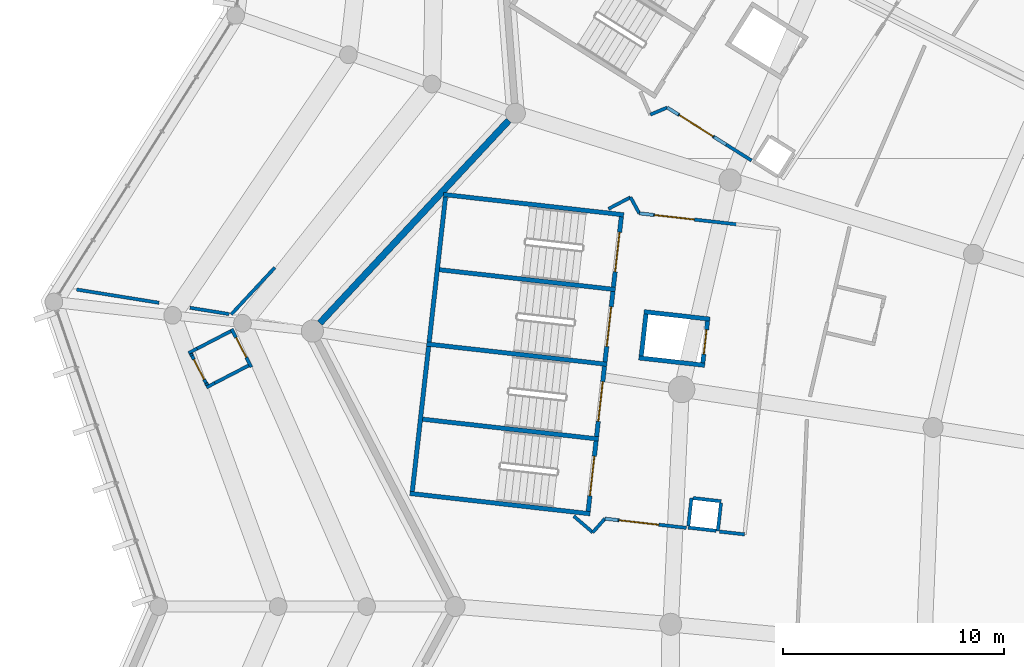
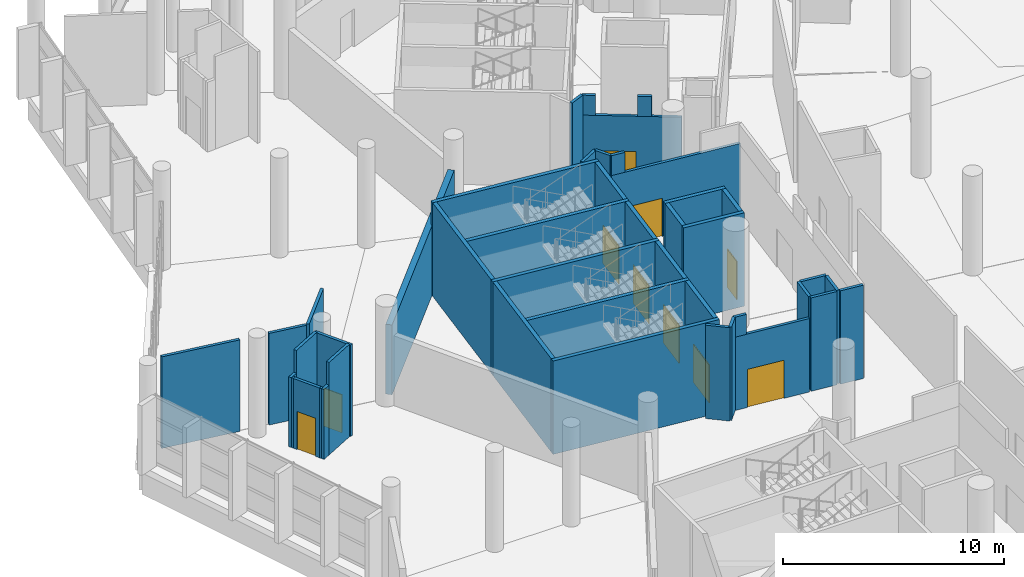
# One storey, part 182 of 271: 44 walls, 10 doors, 10 openings.
"""IFC4 building model written with IfcOpenShell, lengths in metres."""

import ifcopenshell
import ifcopenshell.guid

model = None  # the IFC model being written
_history = None  # IfcOwnerHistory: only IFC2X3 demands one
_inside = {}  # id of a spatial element -> (the spatial element, [elements in it])
_under = {}  # id of a project, library or spatial element -> (it, [spatial elements below it])
_declared = {}  # id of a project -> (the project, [libraries it declares])
_typed = {}  # id of a type object -> (the type object, [elements of that type])
_made_of = {}  # id of a material, layer set ... -> (it, [elements and type objects made of it])


def new_model(schema):
    """Start an empty IFC model of exactly this schema.

    Asked for "IFC4X3", IfcOpenShell would pick the latest addendum, in which some entities
    have other attributes; the version numbers below select the first issue.
    IFC2X3 requires an IfcOwnerHistory on every rooted entity: one is made here for all.
    """
    global model, _history
    if schema == "IFC4X3":
        model = ifcopenshell.file(schema_version=(4, 3, 0, 0))
    else:
        model = ifcopenshell.file(schema=schema)
    _inside.clear()
    _under.clear()
    _declared.clear()
    _typed.clear()
    _made_of.clear()
    _history = None
    if model.schema == "IFC2X3":
        org = make("IfcOrganization", Name="unknown")
        user = make(
            "IfcPersonAndOrganization",
            ThePerson=make("IfcPerson", FamilyName="unknown"),
            TheOrganization=org,
        )
        app = make(
            "IfcApplication",
            ApplicationDeveloper=org,
            Version="unknown",
            ApplicationFullName="unknown",
            ApplicationIdentifier="unknown",
        )
        _history = make(
            "IfcOwnerHistory",
            OwningUser=user,
            OwningApplication=app,
            ChangeAction="ADDED",
            CreationDate=0,
        )
    return model


def make(cls, **values):
    """One entity of the class cls with the attributes given. An attribute that is None is left unset."""
    return model.create_entity(
        cls, **{name: value for name, value in values.items() if value is not None}
    )


def rooted(cls, **values):
    """An entity with a GlobalId (a new one), such as an element, a storey or a relation."""
    return make(cls, GlobalId=ifcopenshell.guid.new(), OwnerHistory=_history, **values)


def si_unit(unit_type, name, prefix=None):
    """IfcSIUnit, for example si_unit("LENGTHUNIT", "METRE", prefix="MILLI")."""
    return make("IfcSIUnit", UnitType=unit_type, Prefix=prefix, Name=name)


def assignment(units):
    """IfcUnitAssignment: the units of a project."""
    return None if units is None else make("IfcUnitAssignment", Units=units)


def point(xyz):
    """IfcCartesianPoint."""
    return None if xyz is None else make("IfcCartesianPoint", Coordinates=xyz)


def direction(xyz):
    """IfcDirection."""
    return None if xyz is None else make("IfcDirection", DirectionRatios=xyz)


def frame(location, z_axis=None, x_axis=None):
    """IfcAxis2Placement3D, a coordinate frame: its origin and axes. An axis left out is left unset."""
    return make(
        "IfcAxis2Placement3D",
        Location=point(location),
        Axis=direction(z_axis),
        RefDirection=direction(x_axis),
    )


def frame_2d(location, x_axis=None):
    """IfcAxis2Placement2D, a coordinate frame in the plane: its origin and x axis."""
    return make(
        "IfcAxis2Placement2D", Location=point(location), RefDirection=direction(x_axis)
    )


def origin():
    """The frame at (0, 0, 0) with its axes left unset."""
    return frame((0.0, 0.0, 0.0))


def place(relative_to, where):
    """IfcLocalPlacement: puts the frame where relative to a parent placement (None: the world)."""
    return make(
        "IfcLocalPlacement", PlacementRelTo=relative_to, RelativePlacement=where
    )


def context(
    kind, dimensions, precision=None, world=None, true_north=None, identifier=None
):
    """IfcGeometricRepresentationContext, for example the 3D "Model" context."""
    return make(
        "IfcGeometricRepresentationContext",
        ContextIdentifier=identifier,
        ContextType=kind,
        CoordinateSpaceDimension=dimensions,
        Precision=precision,
        WorldCoordinateSystem=world,
        TrueNorth=true_north,
    )


def subcontext(parent, identifier, kind, view, scale=None):
    """IfcGeometricRepresentationSubContext, for example "Body" below "Model"."""
    return make(
        "IfcGeometricRepresentationSubContext",
        ContextIdentifier=identifier,
        ContextType=kind,
        ParentContext=parent,
        TargetScale=scale,
        TargetView=view,
    )


def project(units=None, contexts=None):
    """IfcProject with its units and contexts."""
    return rooted(
        "IfcProject",
        Name="project",
        RepresentationContexts=contexts,
        UnitsInContext=assignment(units),
    )


def spatial(cls, under=None, at=None, **own):
    """A site, building, storey or space (cls), placed at a placement, below another one or the project."""
    s = rooted(cls, ObjectPlacement=at, **own)
    if under is not None:
        _under.setdefault(under.id(), (under, []))[1].append(s)
    return s


def profile(cls, at=None, kind="AREA", **sizes):
    """A parametric profile (cls). Its sizes go by their IFC names, for example OverallWidth=200.0."""
    return make(cls, ProfileType=kind, Position=at, **sizes)


def rectangle(**sizes):
    """IfcRectangleProfileDef."""
    return profile("IfcRectangleProfileDef", **sizes)


def extrude(swept, where, along, depth):
    """IfcExtrudedAreaSolid: the profile swept, set in the frame where, extruded along a direction by depth."""
    return make(
        "IfcExtrudedAreaSolid",
        SweptArea=swept,
        Position=where,
        ExtrudedDirection=direction(along),
        Depth=depth,
    )


def shape(context_of_items, identifier, shape_type, items):
    """IfcShapeRepresentation: the items that make up one representation, for example the "Body"."""
    return make(
        "IfcShapeRepresentation",
        ContextOfItems=context_of_items,
        RepresentationIdentifier=identifier,
        RepresentationType=shape_type,
        Items=items,
    )


def material(Name=None, Category=None):
    """IfcMaterial."""
    return make("IfcMaterial", Name=Name, Category=Category)


def layer(
    of_material, thickness, ventilated=None, Name=None, Category=None, Priority=None
):
    """IfcMaterialLayer: one layer of a wall or slab, of a material (None: an air gap)."""
    return make(
        "IfcMaterialLayer",
        Material=of_material,
        LayerThickness=thickness,
        IsVentilated=ventilated,
        Name=Name,
        Category=Category,
        Priority=Priority,
    )


def layer_set(layers, Name=None):
    """IfcMaterialLayerSet."""
    return make("IfcMaterialLayerSet", MaterialLayers=layers, LayerSetName=Name)


def made_of(thing, what):
    """Note that an element or type object is made of a material, layer set ...; save() writes the relation."""
    if what is not None:
        _made_of.setdefault(what.id(), (what, []))[1].append(thing)
    return thing


def type_object(cls, material=None, **own):
    """A type object (cls), such as IfcWallType, which elements share."""
    return made_of(rooted(cls, **own), material)


def element(
    cls,
    number,
    at=None,
    inside=None,
    cuts=None,
    type_object=None,
    material=None,
    context=None,
    identifier="Body",
    shape_type=None,
    held_by="IfcProductDefinitionShape",
    body=None,
    shapes=None,
    **own,
):
    """One element of the class cls, such as IfcWall. Its Tag is "e" and its number.

    at: its placement. inside: the storey or other place that contains it. cuts: it is an
    opening in that element (IfcRelVoidsElement). A single representation is given by context,
    identifier, shape_type and body (its items); several are given by shapes. held_by: the class
    of the entity that holds the representations. save() writes the other relations.
    """
    e = rooted(cls, Tag="e%d" % number, ObjectPlacement=at, **own)
    if body is not None:
        shapes = [shape(context, identifier, shape_type, body)]
    if shapes is not None:
        e.Representation = make(held_by, Representations=shapes)
    if inside is not None:
        _inside.setdefault(inside.id(), (inside, []))[1].append(e)
    if cuts is not None:
        rooted(
            "IfcRelVoidsElement", RelatingBuildingElement=cuts, RelatedOpeningElement=e
        )
    if type_object is not None:
        _typed.setdefault(type_object.id(), (type_object, []))[1].append(e)
    return made_of(e, material)


def fill(opening, filler):
    """IfcRelFillsElement: the door or window that sits in an opening."""
    return rooted(
        "IfcRelFillsElement",
        RelatingOpeningElement=opening,
        RelatedBuildingElement=filler,
    )


def aggregate(whole, parts):
    """IfcRelAggregates: a whole, such as a stair, and the parts it consists of."""
    return rooted("IfcRelAggregates", RelatingObject=whole, RelatedObjects=parts)


def save(model, path):
    """Write the relations noted so far, then the file.

    IfcRelAggregates (storeys below a building ...), IfcRelContainedInSpatialStructure (elements
    in a storey), IfcRelDefinesByType, IfcRelAssociatesMaterial and IfcRelDeclares: one each for
    every whole, place, type object, material and project.
    """
    for whole, parts in _under.values():
        aggregate(whole, parts)
    for where, things in _inside.values():
        rooted(
            "IfcRelContainedInSpatialStructure",
            RelatedElements=things,
            RelatingStructure=where,
        )
    for kind, things in _typed.values():
        rooted("IfcRelDefinesByType", RelatedObjects=things, RelatingType=kind)
    for what, things in _made_of.values():
        rooted("IfcRelAssociatesMaterial", RelatedObjects=things, RelatingMaterial=what)
    for by, libraries in _declared.values():
        rooted("IfcRelDeclares", RelatingContext=by, RelatedDefinitions=libraries)
    model.write(path)


model = new_model("IFC4")

# Units and contexts
model_context = context("Model", 3, precision=1e-05, world=origin(), true_north=direction((0.0, 1.0)))
body_context = subcontext(model_context, "Body", "Model", "MODEL_VIEW")
ifc_project = project(units=[si_unit("LENGTHUNIT", "METRE"), si_unit("AREAUNIT", "SQUARE_METRE"), si_unit("VOLUMEUNIT", "CUBIC_METRE"), si_unit("PLANEANGLEUNIT", "RADIAN"), si_unit("MASSUNIT", "GRAM", prefix="KILO")], contexts=[model_context])

# Site, building, storey
site_placement = place(None, origin())
site = spatial("IfcSite", under=ifc_project, at=site_placement, CompositionType="ELEMENT")
building_placement = place(site_placement, origin())
building = spatial("IfcBuilding", under=site, at=building_placement, Name="Meseta Stadium", CompositionType="ELEMENT")
storey_placement = place(building_placement, frame((0.0, 0.0, 6.5)))
storey = spatial("IfcBuildingStorey", under=building, at=storey_placement, Name="L01", CompositionType="ELEMENT", Elevation=6.5)

# Walls
ifc_material_1 = material(Name="Concrete C40/50", Category="concrete")
ifc_layer_1 = layer(ifc_material_1, 0.199951171875)
ifc_layer_set_1 = layer_set([ifc_layer_1], Name="Core divider wall 200")
wall_type_1 = type_object("IfcWallType", Name="Core divider wall 200", PredefinedType="SHEAR", material=ifc_layer_set_1)
wall_1_placement = place(storey_placement, frame((-95.503662109375, 58.999267578125, 0.0), z_axis=(0.0, 0.0, 1.0), x_axis=(0.993710792168, -0.111977058046, 0.0)))
element("IfcWall", 1, at=wall_1_placement, inside=storey, type_object=wall_type_1, Name="Core 15 L01 stair A divider wall", PredefinedType="SHEAR", context=body_context, shape_type="SweptSolid", body=[
    extrude(rectangle(XDim=8.199951171875, YDim=0.199951171875, at=frame_2d((4.10009765625, 0.0))), origin(), (0.0, 0.0, 1.0), 5.14990234375),
])
wall_2_placement = place(storey_placement, frame((-96.264892578125, 52.241943359375, 0.0), z_axis=(0.0, 0.0, 1.0), x_axis=(0.993713731549, -0.111950970206, 0.0)))
element("IfcWall", 2, at=wall_2_placement, inside=storey, type_object=wall_type_1, Name="Core 15 L01 stair B divider wall", PredefinedType="SHEAR", context=body_context, shape_type="SweptSolid", body=[
    extrude(rectangle(XDim=8.19970703125, YDim=0.199951171875, at=frame_2d((4.099853515625, 0.0))), origin(), (0.0, 0.0, 1.0), 5.14990234375),
])
ifc_material_2 = material(Name="Concrete C40/50", Category="concrete")
ifc_layer_2 = layer(ifc_material_2, 0.199951171875)
ifc_layer_set_2 = layer_set([ifc_layer_2], Name="Core shaft wall 200")
wall_type_2 = type_object("IfcWallType", Name="Core shaft wall 200", PredefinedType="SHEAR", material=ifc_layer_set_2)
wall_3_placement = place(storey_placement, frame((-95.123046875, 62.3779296875, 0.0), z_axis=(0.0, 0.0, 1.0), x_axis=(0.993710792168, -0.111977058046, 0.0)))
element("IfcWall", 3, at=wall_3_placement, inside=storey, type_object=wall_type_2, Name="Core 15 L01 stair wall A-side", PredefinedType="SHEAR", context=body_context, shape_type="SweptSolid", body=[
    extrude(rectangle(XDim=8.199951171875, YDim=0.199951171875, at=frame_2d((4.10009765625, 0.0))), origin(), (0.0, 0.0, 1.0), 5.14990234375),
])
wall_4_placement = place(storey_placement, frame((-95.884521484375, 55.62060546875, 0.0), z_axis=(0.0, 0.0, 1.0), x_axis=(0.993711165474, -0.111973745194, 0.0)))
element("IfcWall", 4, at=wall_4_placement, inside=storey, type_object=wall_type_2, Name="Core 15 L01 stair wall shared", PredefinedType="SHEAR", context=body_context, shape_type="SweptSolid", body=[
    extrude(rectangle(XDim=8.2001953125, YDim=0.199951171875, at=frame_2d((4.10009765625, 0.0))), origin(), (0.0, 0.0, 1.0), 5.14990234375),
])
wall_5_placement = place(storey_placement, frame((-96.645751953125, 48.86328125, 0.0), z_axis=(0.0, 0.0, 1.0), x_axis=(0.993714104693, -0.111947658007, 0.0)))
element("IfcWall", 5, at=wall_5_placement, inside=storey, type_object=wall_type_2, Name="Core 15 L01 stair wall B-side", PredefinedType="SHEAR", context=body_context, shape_type="SweptSolid", body=[
    extrude(rectangle(XDim=8.199951171875, YDim=0.199951171875, at=frame_2d((4.10009765625, 0.0))), origin(), (0.0, 0.0, 1.0), 5.14990234375),
])
for number, where, z_axis, x_axis, name in (
    (6, (-95.034912109375, 62.267333984375, 0.0), (0.0, 0.0, 1.0), (-0.111933579504, -0.993715690617, 0.0), "Core 15 L01 stair A outer end wall"),
    (7, (-95.796142578125, 55.510009765625, 0.0), (0.0, 0.0, 1.0), (-0.111970106426, -0.993711575492, 0.0), "Core 15 L01 stair B outer end wall"),
):
    element("IfcWall", number, at=place(storey_placement, frame(where, z_axis=z_axis, x_axis=x_axis)), inside=storey, type_object=wall_type_2, Name=name, PredefinedType="SHEAR", context=body_context, shape_type="SweptSolid", body=[
        extrude(rectangle(XDim=6.60009765625, YDim=0.199951171875, at=frame_2d((3.300048828125, 0.0))), origin(), (0.0, 0.0, 1.0), 5.14990234375),
    ])

# Wall, opening, door
wall_6_placement = place(storey_placement, frame((-87.085205078125, 61.37158203125, 0.0), z_axis=(0.0, 0.0, 1.0), x_axis=(-0.11192190762, -0.993717005286, 0.0)))
wall_6 = element("IfcWall", 8, at=wall_6_placement, inside=storey, type_object=wall_type_2, Name="Core 15 L01 stair A1 inner end wall", PredefinedType="SHEAR", context=body_context, shape_type="SweptSolid", body=[
    extrude(rectangle(XDim=3.199951171875, YDim=0.199951171875, at=frame_2d((1.60009765625, 0.0))), origin(), (0.0, 0.0, 1.0), 5.14990234375),
])
opening_1_placement = place(wall_6_placement, frame((0.699951171875, 0.0, 0.0)))
opening_1 = element("IfcOpeningElement", 9, at=opening_1_placement, cuts=wall_6, Name="Opening D207", PredefinedType="OPENING", context=body_context, shape_type="SweptSolid", body=[
    extrude(rectangle(XDim=1.800048828125, YDim=2.10009765625, at=frame_2d((0.89990234375, 1.050048828125))), frame((0.0, 0.10986328125, 0.0), z_axis=(0.0, -1.0, 0.0), x_axis=(1.0, 0.0, 0.0)), (0.0, 0.0, 1.0), 0.219970703125),
])
ifc_material_3 = material(Name="Steel", Category="steel")
door_type_1 = type_object("IfcDoorType", Name="Stair door 1800x2100", OperationType="DOUBLE_DOOR_SINGLE_SWING", PredefinedType="DOOR", material=ifc_material_3)
door_1_placement = place(opening_1_placement, origin())
door_1 = element("IfcDoor", 10, at=door_1_placement, inside=storey, type_object=door_type_1, Name="Stair A1 door 15 L01", OperationType="DOUBLE_DOOR_SINGLE_SWING", OverallHeight=2.10009765625, OverallWidth=1.800048828125, PredefinedType="DOOR", context=body_context, shape_type="SweptSolid", body=[
    extrude(rectangle(XDim=1.800048828125, YDim=2.10009765625, at=frame_2d((0.89990234375, 1.050048828125))), frame((0.0, 0.02490234375, 0.0), z_axis=(0.0, -1.0, 0.0), x_axis=(1.0, 0.0, 0.0)), (0.0, 0.0, 1.0), 0.050048828125),
])
fill(opening_1, door_1)

wall_7_placement = place(storey_placement, frame((-87.4658203125, 57.992919921875, 0.0), z_axis=(0.0, 0.0, 1.0), x_axis=(-0.111997244021, -0.993708517288, 0.0)))
wall_7 = element("IfcWall", 11, at=wall_7_placement, inside=storey, type_object=wall_type_2, Name="Core 15 L01 stair A2 inner end wall", PredefinedType="SHEAR", context=body_context, shape_type="SweptSolid", body=[
    extrude(rectangle(XDim=3.199951171875, YDim=0.199951171875, at=frame_2d((1.60009765625, 0.0))), origin(), (0.0, 0.0, 1.0), 5.14990234375),
])
opening_2_placement = place(wall_7_placement, frame((0.699951171875, 0.0, 0.0)))
opening_2 = element("IfcOpeningElement", 12, at=opening_2_placement, cuts=wall_7, Name="Opening D208", PredefinedType="OPENING", context=body_context, shape_type="SweptSolid", body=[
    extrude(rectangle(XDim=1.800048828125, YDim=2.10009765625, at=frame_2d((0.89990234375, 1.050048828125))), frame((0.0, 0.10986328125, 0.0), z_axis=(0.0, -1.0, 0.0), x_axis=(1.0, 0.0, 0.0)), (0.0, 0.0, 1.0), 0.219970703125),
])
door_2_placement = place(opening_2_placement, origin())
door_2 = element("IfcDoor", 13, at=door_2_placement, inside=storey, type_object=door_type_1, Name="Stair A2 door 15 L01", OperationType="DOUBLE_DOOR_SINGLE_SWING", OverallHeight=2.10009765625, OverallWidth=1.800048828125, PredefinedType="DOOR", context=body_context, shape_type="SweptSolid", body=[
    extrude(rectangle(XDim=1.800048828125, YDim=2.10009765625, at=frame_2d((0.89990234375, 1.050048828125))), frame((0.0, 0.02490234375, 0.0), z_axis=(0.0, -1.0, 0.0), x_axis=(1.0, 0.0, 0.0)), (0.0, 0.0, 1.0), 0.050048828125),
])
fill(opening_2, door_2)

wall_8_placement = place(storey_placement, frame((-87.846435546875, 54.6142578125, 0.0), z_axis=(0.0, 0.0, 1.0), x_axis=(-0.112005735442, -0.993707560215, 0.0)))
wall_8 = element("IfcWall", 14, at=wall_8_placement, inside=storey, type_object=wall_type_2, Name="Core 15 L01 stair B1 inner end wall", PredefinedType="SHEAR", context=body_context, shape_type="SweptSolid", body=[
    extrude(rectangle(XDim=3.19970703125, YDim=0.199951171875, at=frame_2d((1.599853515625, 0.0))), origin(), (0.0, 0.0, 1.0), 5.14990234375),
])
opening_3_placement = place(wall_8_placement, frame((0.699951171875, 0.0, 0.0)))
opening_3 = element("IfcOpeningElement", 15, at=opening_3_placement, cuts=wall_8, Name="Opening D209", PredefinedType="OPENING", context=body_context, shape_type="SweptSolid", body=[
    extrude(rectangle(XDim=1.800048828125, YDim=2.10009765625, at=frame_2d((0.89990234375, 1.050048828125))), frame((0.0, 0.10986328125, 0.0), z_axis=(0.0, -1.0, 0.0), x_axis=(1.0, 0.0, 0.0)), (0.0, 0.0, 1.0), 0.219970703125),
])
door_3_placement = place(opening_3_placement, origin())
door_3 = element("IfcDoor", 16, at=door_3_placement, inside=storey, type_object=door_type_1, Name="Stair B1 door 15 L01", OperationType="DOUBLE_DOOR_SINGLE_SWING", OverallHeight=2.10009765625, OverallWidth=1.800048828125, PredefinedType="DOOR", context=body_context, shape_type="SweptSolid", body=[
    extrude(rectangle(XDim=1.800048828125, YDim=2.10009765625, at=frame_2d((0.89990234375, 1.050048828125))), frame((0.0, 0.02490234375, 0.0), z_axis=(0.0, -1.0, 0.0), x_axis=(1.0, 0.0, 0.0)), (0.0, 0.0, 1.0), 0.050048828125),
])
fill(opening_3, door_3)

wall_9_placement = place(storey_placement, frame((-88.227294921875, 51.235595703125, 0.0), z_axis=(0.0, 0.0, 1.0), x_axis=(-0.111930393474, -0.993716049491, 0.0)))
wall_9 = element("IfcWall", 17, at=wall_9_placement, inside=storey, type_object=wall_type_2, Name="Core 15 L01 stair B2 inner end wall", PredefinedType="SHEAR", context=body_context, shape_type="SweptSolid", body=[
    extrude(rectangle(XDim=3.19970703125, YDim=0.199951171875, at=frame_2d((1.599853515625, 0.0))), origin(), (0.0, 0.0, 1.0), 5.14990234375),
])
opening_4_placement = place(wall_9_placement, frame((0.699951171875, 0.0, 0.0)))
opening_4 = element("IfcOpeningElement", 18, at=opening_4_placement, cuts=wall_9, Name="Opening D210", PredefinedType="OPENING", context=body_context, shape_type="SweptSolid", body=[
    extrude(rectangle(XDim=1.800048828125, YDim=2.10009765625, at=frame_2d((0.89990234375, 1.050048828125))), frame((0.0, 0.10986328125, 0.0), z_axis=(0.0, -1.0, 0.0), x_axis=(1.0, 0.0, 0.0)), (0.0, 0.0, 1.0), 0.219970703125),
])
door_4_placement = place(opening_4_placement, origin())
door_4 = element("IfcDoor", 19, at=door_4_placement, inside=storey, type_object=door_type_1, Name="Stair B2 door 15 L01", OperationType="DOUBLE_DOOR_SINGLE_SWING", OverallHeight=2.10009765625, OverallWidth=1.800048828125, PredefinedType="DOOR", context=body_context, shape_type="SweptSolid", body=[
    extrude(rectangle(XDim=1.800048828125, YDim=2.10009765625, at=frame_2d((0.89990234375, 1.050048828125))), frame((0.0, 0.02490234375, 0.0), z_axis=(0.0, -1.0, 0.0), x_axis=(1.0, 0.0, 0.0)), (0.0, 0.0, 1.0), 0.050048828125),
])
fill(opening_4, door_4)

# Walls
for number, where, z_axis, x_axis, name in (
    (20, (-86.05908203125, 57.07958984375, 0.0), (0.0, 0.0, 1.0), (0.993718878013, -0.111905279056, 0.0), "Core 15 L01 lift shaft wall left"),
    (21, (-86.294189453125, 54.992919921875, 0.0), (0.0, 0.0, 1.0), (0.993709824566, -0.111985644439, 0.0), "Core 15 L01 lift shaft wall right"),
):
    element("IfcWall", number, at=place(storey_placement, frame(where, z_axis=z_axis, x_axis=x_axis)), inside=storey, type_object=wall_type_2, Name=name, PredefinedType="SHEAR", context=body_context, shape_type="SweptSolid", body=[
        extrude(rectangle(XDim=2.999755859375, YDim=0.199951171875, at=frame_2d((1.5, 0.0))), origin(), (0.0, 0.0, 1.0), 5.14990234375),
    ])
wall_10_placement = place(storey_placement, frame((-85.970947265625, 56.96923828125, 0.0), z_axis=(0.0, 0.0, 1.0), x_axis=(-0.112039012324, -0.993703808847, 0.0)))
element("IfcWall", 22, at=wall_10_placement, inside=storey, type_object=wall_type_2, Name="Core 15 L01 lift shaft back wall", PredefinedType="SHEAR", context=body_context, shape_type="SweptSolid", body=[
    extrude(rectangle(XDim=1.900146484375, YDim=0.199951171875, at=frame_2d((0.9501953125, 0.0))), origin(), (0.0, 0.0, 1.0), 5.14990234375),
])

# Wall, opening, door
wall_11_placement = place(storey_placement, frame((-83.188720703125, 56.65576171875, 0.0), z_axis=(0.0, 0.0, 1.0), x_axis=(-0.11191213732, -0.993718105662, 0.0)))
wall_11 = element("IfcWall", 23, at=wall_11_placement, inside=storey, type_object=wall_type_2, Name="Core 15 L01 lift shaft front wall", PredefinedType="SHEAR", context=body_context, shape_type="SweptSolid", body=[
    extrude(rectangle(XDim=1.900146484375, YDim=0.199951171875, at=frame_2d((0.9501953125, 0.0))), origin(), (0.0, 0.0, 1.0), 5.14990234375),
])
opening_5_placement = place(wall_11_placement, frame((0.39990234375, 0.0, 0.0)))
opening_5 = element("IfcOpeningElement", 24, at=opening_5_placement, cuts=wall_11, Name="Opening LD81", PredefinedType="OPENING", context=body_context, shape_type="SweptSolid", body=[
    extrude(rectangle(XDim=1.10009765625, YDim=2.10009765625, at=frame_2d((0.550048828125, 1.050048828125))), frame((0.0, 0.10986328125, 0.0), z_axis=(0.0, -1.0, 0.0), x_axis=(1.0, 0.0, 0.0)), (0.0, 0.0, 1.0), 0.219970703125),
])
ifc_material_4 = material(Name="Steel", Category="steel")
door_type_2 = type_object("IfcDoorType", Name="Lift landing door 1100x2100", OperationType="SLIDING_TO_LEFT", PredefinedType="DOOR", material=ifc_material_4)
door_5_placement = place(opening_5_placement, origin())
door_5 = element("IfcDoor", 25, at=door_5_placement, inside=storey, type_object=door_type_2, Name="Lift landing door LD81", OperationType="SLIDING_TO_LEFT", OverallHeight=2.10009765625, OverallWidth=1.10009765625, PredefinedType="DOOR", context=body_context, shape_type="SweptSolid", body=[
    extrude(rectangle(XDim=1.10009765625, YDim=2.10009765625, at=frame_2d((0.550048828125, 1.050048828125))), frame((0.0, 0.02490234375, 0.0), z_axis=(0.0, -1.0, 0.0), x_axis=(1.0, 0.0, 0.0)), (0.0, 0.0, 1.0), 0.050048828125),
])
fill(opening_5, door_5)

# Walls
ifc_material_5 = material(Name="Masonry blockwork", Category="masonry")
ifc_layer_3 = layer(ifc_material_5, 0.14990234375)
ifc_layer_set_3 = layer_set([ifc_layer_3], Name="Partition 150")
wall_type_3 = type_object("IfcWallType", Name="Partition 150", PredefinedType="PARTITIONING", material=ifc_layer_set_3)
wall_12_placement = place(storey_placement, frame((-102.74658203125, 59.077880859375, 0.0), z_axis=(0.0, 0.0, 1.0), x_axis=(-0.681777855642, -0.731559263188, 0.0)))
element("IfcWall", 26, at=wall_12_placement, inside=storey, type_object=wall_type_3, Name="Partition L01 L01-ring13-0", PredefinedType="PARTITIONING", context=body_context, shape_type="SweptSolid", body=[
    extrude(rectangle(XDim=2.8984375, YDim=0.14990234375, at=frame_2d((1.44921875, 0.0))), origin(), (0.0, 0.0, 1.0), 5.050048828125),
])
wall_13_placement = place(storey_placement, frame((-104.811767578125, 56.971923828125, 0.0), z_axis=(0.0, 0.0, 1.0), x_axis=(-0.987274842255, 0.159023224248, 0.0)))
element("IfcWall", 27, at=wall_13_placement, inside=storey, type_object=wall_type_3, Name="Partition L01 L01-ring13-0", PredefinedType="PARTITIONING", context=body_context, shape_type="SweptSolid", body=[
    extrude(rectangle(XDim=1.7978515625, YDim=0.14990234375, at=frame_2d((0.89892578125, 0.0))), origin(), (0.0, 0.0, 1.0), 5.050048828125),
])
wall_14_placement = place(storey_placement, frame((-107.984619140625, 57.48291015625, 0.0), z_axis=(0.0, 0.0, 1.0), x_axis=(-0.987279127288, 0.158996618901, 0.0)))
element("IfcWall", 28, at=wall_14_placement, inside=storey, type_object=wall_type_3, Name="Partition L01 L01-ring13-0", PredefinedType="PARTITIONING", context=body_context, shape_type="SweptSolid", body=[
    extrude(rectangle(XDim=3.77587890625, YDim=0.14990234375, at=frame_2d((1.887939453125, 0.0))), origin(), (0.0, 0.0, 1.0), 5.050048828125),
])

# Wall, opening, door
wall_15_placement = place(storey_placement, frame((-104.707275390625, 56.302490234375, 0.0), z_axis=(0.0, 0.0, 1.0), x_axis=(0.459976248991, -0.887931219388, 0.0)))
wall_15 = element("IfcWall", 29, at=wall_15_placement, inside=storey, type_object=wall_type_3, Name="Partition L01 L01-ring14-0", PredefinedType="PARTITIONING", context=body_context, shape_type="SweptSolid", body=[
    extrude(rectangle(XDim=1.944091796875, YDim=0.14990234375, at=frame_2d((0.97216796875, 0.0))), origin(), (0.0, 0.0, 1.0), 5.050048828125),
])
opening_6_placement = place(wall_15_placement, frame((0.449951171875, 0.0, 0.0)))
opening_6 = element("IfcOpeningElement", 30, at=opening_6_placement, cuts=wall_15, Name="Opening D695", PredefinedType="OPENING", context=body_context, shape_type="SweptSolid", body=[
    extrude(rectangle(XDim=1.0, YDim=2.10009765625, at=frame_2d((0.5, 1.050048828125))), frame((0.0, 0.0849609375, 0.0), z_axis=(0.0, -1.0, 0.0), x_axis=(1.0, 0.0, 0.0)), (0.0, 0.0, 1.0), 0.169921875),
])
ifc_material_6 = material(Name="Steel", Category="steel")
door_type_3 = type_object("IfcDoorType", Name="Fire door 1000x2100 EI2 60", OperationType="NOTDEFINED", PredefinedType="DOOR", material=ifc_material_6)
door_6_placement = place(opening_6_placement, origin())
door_6 = element("IfcDoor", 31, at=door_6_placement, inside=storey, type_object=door_type_3, Name="Door D695", OperationType="SINGLE_SWING_LEFT", OverallHeight=2.10009765625, OverallWidth=1.0, PredefinedType="DOOR", context=body_context, shape_type="SweptSolid", body=[
    extrude(rectangle(XDim=1.0, YDim=2.10009765625, at=frame_2d((0.5, 1.050048828125))), frame((0.0, 0.02490234375, 0.0), z_axis=(0.0, -1.0, 0.0), x_axis=(1.0, 0.0, 0.0)), (0.0, 0.0, 1.0), 0.050048828125),
])
fill(opening_6, door_6)

# Wall
wall_16_placement = place(storey_placement, frame((-85.776611328125, 65.98974609375, 0.0), z_axis=(0.0, 0.0, 1.0), x_axis=(0.922414184809, 0.386202112453, 0.0)))
element("IfcWall", 32, at=wall_16_placement, inside=storey, type_object=wall_type_3, Name="Stair vestibule wall L01 core 14", PredefinedType="PARTITIONING", context=body_context, shape_type="SweptSolid", body=[
    extrude(rectangle(XDim=0.830078125, YDim=0.14990234375, at=frame_2d((0.4150390625, 0.0))), origin(), (0.0, 0.0, 1.0), 5.14990234375),
])

# Wall, opening, door
wall_17_placement = place(storey_placement, frame((-85.010986328125, 66.310302734375, 0.0), z_axis=(0.0, 0.0, 1.0), x_axis=(0.846710517912, -0.532053849583, 0.0)))
wall_17 = element("IfcWall", 33, at=wall_17_placement, inside=storey, type_object=wall_type_3, Name="Stair vestibule wall L01 core 14", PredefinedType="PARTITIONING", context=body_context, shape_type="SweptSolid", body=[
    extrude(rectangle(XDim=4.50341796875, YDim=0.14990234375, at=frame_2d((2.251708984375, 0.0))), origin(), (0.0, 0.0, 1.0), 4.050048828125),
])
opening_7_placement = place(wall_17_placement, frame((0.64990234375, 0.0, 0.0)))
opening_7 = element("IfcOpeningElement", 34, at=opening_7_placement, cuts=wall_17, Name="Opening D777", PredefinedType="OPENING", context=body_context, shape_type="SweptSolid", body=[
    extrude(rectangle(XDim=1.800048828125, YDim=2.10009765625, at=frame_2d((0.89990234375, 1.050048828125))), frame((0.0, 0.0849609375, 0.0), z_axis=(0.0, -1.0, 0.0), x_axis=(1.0, 0.0, 0.0)), (0.0, 0.0, 1.0), 0.169921875),
])
ifc_material_7 = material(Name="Steel", Category="steel")
door_type_4 = type_object("IfcDoorType", Name="Fire double door 1800x2100 EI2 60", OperationType="DOUBLE_DOOR_SINGLE_SWING", PredefinedType="DOOR", material=ifc_material_7)
door_7_placement = place(opening_7_placement, origin())
door_7 = element("IfcDoor", 35, at=door_7_placement, inside=storey, type_object=door_type_4, Name="Stair vestibule door L01 core 14", OperationType="DOUBLE_DOOR_SINGLE_SWING", OverallHeight=2.10009765625, OverallWidth=1.800048828125, PredefinedType="DOOR", context=body_context, shape_type="SweptSolid", body=[
    extrude(rectangle(XDim=1.800048828125, YDim=2.10009765625, at=frame_2d((0.89990234375, 1.050048828125))), frame((0.0, 0.02490234375, 0.0), z_axis=(0.0, -1.0, 0.0), x_axis=(1.0, 0.0, 0.0)), (0.0, 0.0, 1.0), 0.050048828125),
])
fill(opening_7, door_7)

# Walls
wall_18_placement = place(storey_placement, frame((-85.010986328125, 66.310302734375, 4.050048828125), z_axis=(0.0, 0.0, 1.0), x_axis=(0.846531749872, -0.532338235015, 0.0)))
element("IfcWall", 36, at=wall_18_placement, inside=storey, type_object=wall_type_3, Name="Stair vestibule wall L01 core 14", PredefinedType="PARTITIONING", context=body_context, shape_type="SweptSolid", body=[
    extrude(rectangle(XDim=0.599853515625, YDim=0.14990234375, at=frame_2d((0.2998046875, 0.0))), origin(), (0.0, 0.0, 1.0), 1.099853515625),
])
for number, where, z_axis, x_axis, name in (
    (37, (-83.913330078125, 48.66162109375, 0.0), (0.0, 0.0, 1.0), (-0.111818407645, -0.993728656984, 0.0), "Pressurisation shaft wall L01 core 15"),
    (38, (-84.064453125, 47.320068359375, 0.0), (0.0, 0.0, 1.0), (0.993707363865, -0.11200747743, 0.0), "Pressurisation shaft wall L01 core 15"),
):
    element("IfcWall", number, at=place(storey_placement, frame(where, z_axis=z_axis, x_axis=x_axis)), inside=storey, type_object=wall_type_3, Name=name, PredefinedType="PARTITIONING", context=body_context, shape_type="SweptSolid", body=[
        extrude(rectangle(XDim=1.275146484375, YDim=0.14990234375, at=frame_2d((0.6376953125, 0.0))), origin(), (0.0, 0.0, 1.0), 5.14990234375),
    ])
for number, where, z_axis, x_axis, name in (
    (39, (-82.722900390625, 47.1689453125, 0.0), (0.0, 0.0, 1.0), (0.112028792108, 0.993704961112, 0.0), "Pressurisation shaft wall L01 core 15"),
    (40, (-82.57177734375, 48.510498046875, 0.0), (0.0, 0.0, 1.0), (-0.993726262285, 0.111839687257, 0.0), "Pressurisation shaft wall L01 core 15"),
):
    element("IfcWall", number, at=place(storey_placement, frame(where, z_axis=z_axis, x_axis=x_axis)), inside=storey, type_object=wall_type_3, Name=name, PredefinedType="PARTITIONING", context=body_context, shape_type="SweptSolid", body=[
        extrude(rectangle(XDim=1.27490234375, YDim=0.14990234375, at=frame_2d((0.637451171875, 0.0))), origin(), (0.0, 0.0, 1.0), 5.14990234375),
    ])
wall_19_placement = place(storey_placement, frame((-89.233642578125, 47.83740234375, 0.0), z_axis=(0.0, 0.0, 1.0), x_axis=(0.758950911089, -0.651147843855, 0.0)))
element("IfcWall", 41, at=wall_19_placement, inside=storey, type_object=wall_type_3, Name="Stair vestibule wall L01 core 15", PredefinedType="PARTITIONING", context=body_context, shape_type="SweptSolid", body=[
    extrude(rectangle(XDim=1.1279296875, YDim=0.14990234375, at=frame_2d((0.56396484375, 0.0))), origin(), (0.0, 0.0, 1.0), 5.14990234375),
])
wall_20_placement = place(storey_placement, frame((-88.377685546875, 47.10302734375, 0.0), z_axis=(0.0, 0.0, 1.0), x_axis=(0.66330376879, 0.748350259109, 0.0)))
element("IfcWall", 42, at=wall_20_placement, inside=storey, type_object=wall_type_3, Name="Stair vestibule wall L01 core 15", PredefinedType="PARTITIONING", context=body_context, shape_type="SweptSolid", body=[
    extrude(rectangle(XDim=0.82958984375, YDim=0.14990234375, at=frame_2d((0.414794921875, 0.0))), origin(), (0.0, 0.0, 1.0), 5.14990234375),
])

# Wall, opening, door
wall_21_placement = place(storey_placement, frame((-87.827392578125, 47.723876953125, 0.0), z_axis=(0.0, 0.0, 1.0), x_axis=(0.993708869306, -0.11199412066, 0.0)))
wall_21 = element("IfcWall", 43, at=wall_21_placement, inside=storey, type_object=wall_type_3, Name="Stair vestibule wall L01 core 15", PredefinedType="PARTITIONING", context=body_context, shape_type="SweptSolid", body=[
    extrude(rectangle(XDim=3.70361328125, YDim=0.14990234375, at=frame_2d((1.851806640625, 0.0))), origin(), (0.0, 0.0, 1.0), 4.050048828125),
])
opening_8_placement = place(wall_21_placement, frame((0.64990234375, 0.0, 0.0)))
opening_8 = element("IfcOpeningElement", 44, at=opening_8_placement, cuts=wall_21, Name="Opening D780", PredefinedType="OPENING", context=body_context, shape_type="SweptSolid", body=[
    extrude(rectangle(XDim=1.800048828125, YDim=2.10009765625, at=frame_2d((0.89990234375, 1.050048828125))), frame((0.0, 0.0849609375, 0.0), z_axis=(0.0, -1.0, 0.0), x_axis=(1.0, 0.0, 0.0)), (0.0, 0.0, 1.0), 0.169921875),
])
door_8_placement = place(opening_8_placement, origin())
door_8 = element("IfcDoor", 45, at=door_8_placement, inside=storey, type_object=door_type_4, Name="Stair vestibule door L01 core 15", OperationType="DOUBLE_DOOR_SINGLE_SWING", OverallHeight=2.10009765625, OverallWidth=1.800048828125, PredefinedType="DOOR", context=body_context, shape_type="SweptSolid", body=[
    extrude(rectangle(XDim=1.800048828125, YDim=2.10009765625, at=frame_2d((0.89990234375, 1.050048828125))), frame((0.0, 0.02490234375, 0.0), z_axis=(0.0, -1.0, 0.0), x_axis=(1.0, 0.0, 0.0)), (0.0, 0.0, 1.0), 0.050048828125),
])
fill(opening_8, door_8)

# Walls
wall_22_placement = place(storey_placement, frame((-87.827392578125, 47.723876953125, 4.050048828125), z_axis=(0.0, 0.0, 1.0), x_axis=(0.993673547442, -0.112307083986, 0.0)))
element("IfcWall", 46, at=wall_22_placement, inside=storey, type_object=wall_type_3, Name="Stair vestibule wall L01 core 15", PredefinedType="PARTITIONING", context=body_context, shape_type="SweptSolid", body=[
    extrude(rectangle(XDim=0.60009765625, YDim=0.14990234375, at=frame_2d((0.300048828125, 0.0))), origin(), (0.0, 0.0, 1.0), 1.099853515625),
])
wall_23_placement = place(storey_placement, frame((-82.640625, 47.139404296875, 0.0), z_axis=(0.0, 0.0, 1.0), x_axis=(0.993725340882, -0.111847873866, 0.0)))
element("IfcWall", 47, at=wall_23_placement, inside=storey, type_object=wall_type_3, Name="Stair vestibule wall L01 core 15", PredefinedType="PARTITIONING", context=body_context, shape_type="SweptSolid", body=[
    extrude(rectangle(XDim=1.135009765625, YDim=0.14990234375, at=frame_2d((0.5673828125, 0.0))), origin(), (0.0, 0.0, 1.0), 5.14990234375),
])

# Wall, opening, door
wall_24_placement = place(storey_placement, frame((-79.95751953125, 60.81494140625, 0.0), z_axis=(0.0, 0.0, 1.0), x_axis=(-0.99370867388, 0.111995854638, 0.0)))
wall_24 = element("IfcWall", 48, at=wall_24_placement, inside=storey, type_object=wall_type_3, Name="Stair vestibule wall L01 core 15", PredefinedType="PARTITIONING", context=body_context, shape_type="SweptSolid", body=[
    extrude(rectangle(XDim=6.3544921875, YDim=0.14990234375, at=frame_2d((3.17724609375, 0.0))), origin(), (0.0, 0.0, 1.0), 4.050048828125),
])
opening_9_placement = place(wall_24_placement, frame((3.85009765625, 0.0, 0.0)))
opening_9 = element("IfcOpeningElement", 49, at=opening_9_placement, cuts=wall_24, Name="Opening D781", PredefinedType="OPENING", context=body_context, shape_type="SweptSolid", body=[
    extrude(rectangle(XDim=1.800048828125, YDim=2.10009765625, at=frame_2d((0.89990234375, 1.050048828125))), frame((0.0, 0.0849609375, 0.0), z_axis=(0.0, -1.0, 0.0), x_axis=(1.0, 0.0, 0.0)), (0.0, 0.0, 1.0), 0.169921875),
])
door_9_placement = place(opening_9_placement, origin())
door_9 = element("IfcDoor", 50, at=door_9_placement, inside=storey, type_object=door_type_4, Name="Stair vestibule door L01 core 15", OperationType="DOUBLE_DOOR_SINGLE_SWING", OverallHeight=2.10009765625, OverallWidth=1.800048828125, PredefinedType="DOOR", context=body_context, shape_type="SweptSolid", body=[
    extrude(rectangle(XDim=1.800048828125, YDim=2.10009765625, at=frame_2d((0.89990234375, 1.050048828125))), frame((0.0, 0.02490234375, 0.0), z_axis=(0.0, -1.0, 0.0), x_axis=(1.0, 0.0, 0.0)), (0.0, 0.0, 1.0), 0.050048828125),
])
fill(opening_9, door_9)

# Walls
wall_25_placement = place(storey_placement, frame((-85.621826171875, 61.453125, 4.050048828125), z_axis=(0.0, 0.0, 1.0), x_axis=(-0.993672626597, 0.11231523117, 0.0)))
element("IfcWall", 51, at=wall_25_placement, inside=storey, type_object=wall_type_3, Name="Stair vestibule wall L01 core 15", PredefinedType="PARTITIONING", context=body_context, shape_type="SweptSolid", body=[
    extrude(rectangle(XDim=0.654296875, YDim=0.14990234375, at=frame_2d((0.3271484375, 0.0))), origin(), (0.0, 0.0, 1.0), 1.099853515625),
])
wall_26_placement = place(storey_placement, frame((-86.27197265625, 61.526611328125, 0.0), z_axis=(0.0, 0.0, 1.0), x_axis=(-0.480336186773, 0.877084458691, 0.0)))
element("IfcWall", 52, at=wall_26_placement, inside=storey, type_object=wall_type_3, Name="Stair vestibule wall L01 core 15", PredefinedType="PARTITIONING", context=body_context, shape_type="SweptSolid", body=[
    extrude(rectangle(XDim=0.82958984375, YDim=0.14990234375, at=frame_2d((0.414794921875, 0.0))), origin(), (0.0, 0.0, 1.0), 5.14990234375),
])
wall_27_placement = place(storey_placement, frame((-86.67041015625, 62.254150390625, 0.0), z_axis=(0.0, 0.0, 1.0), x_axis=(-0.884880656279, -0.465817801446, 0.0)))
element("IfcWall", 53, at=wall_27_placement, inside=storey, type_object=wall_type_3, Name="Stair vestibule wall L01 core 15", PredefinedType="PARTITIONING", context=body_context, shape_type="SweptSolid", body=[
    extrude(rectangle(XDim=1.1279296875, YDim=0.14990234375, at=frame_2d((0.56396484375, 0.0))), origin(), (0.0, 0.0, 1.0), 5.14990234375),
])
wall_28_placement = place(storey_placement, frame((-104.739501953125, 56.201416015625, 0.0), z_axis=(0.0, 0.0, 1.0), x_axis=(-0.887889843187, -0.460056112193, 0.0)))
element("IfcWall", 54, at=wall_28_placement, inside=storey, type_object=wall_type_3, Name="Partition L01 L01-ring14-0 vestibule", PredefinedType="PARTITIONING", context=body_context, shape_type="SweptSolid", body=[
    extrude(rectangle(XDim=1.719970703125, YDim=0.14990234375, at=frame_2d((0.85986328125, 0.0))), origin(), (0.0, 0.0, 1.0), 5.10009765625),
])
wall_29_placement = place(storey_placement, frame((-106.2666015625, 55.41015625, 0.0), z_axis=(0.0, 0.0, 1.0), x_axis=(-0.887977848417, -0.459886225843, 0.0)))
element("IfcWall", 55, at=wall_29_placement, inside=storey, type_object=wall_type_3, Name="Partition L01 L01-ring14-0 vestibule", PredefinedType="PARTITIONING", context=body_context, shape_type="SweptSolid", body=[
    extrude(rectangle(XDim=0.429931640625, YDim=0.14990234375, at=frame_2d((0.21484375, 0.0))), origin(), (0.0, 0.0, 1.0), 3.85009765625),
])
wall_30_placement = place(storey_placement, frame((-103.934326171875, 54.647705078125, 0.0), z_axis=(0.0, 0.0, 1.0), x_axis=(-0.887831856791, -0.460168006349, 0.0)))
element("IfcWall", 56, at=wall_30_placement, inside=storey, type_object=wall_type_3, Name="Partition L01 L01-ring14-0 vestibule", PredefinedType="PARTITIONING", context=body_context, shape_type="SweptSolid", body=[
    extrude(rectangle(XDim=1.719970703125, YDim=0.14990234375, at=frame_2d((0.85986328125, 0.0))), origin(), (0.0, 0.0, 1.0), 5.10009765625),
])
wall_31_placement = place(storey_placement, frame((-105.46142578125, 53.856201171875, 0.0), z_axis=(0.0, 0.0, 1.0), x_axis=(-0.887977848417, -0.459886225843, 0.0)))
element("IfcWall", 57, at=wall_31_placement, inside=storey, type_object=wall_type_3, Name="Partition L01 L01-ring14-0 vestibule", PredefinedType="PARTITIONING", context=body_context, shape_type="SweptSolid", body=[
    extrude(rectangle(XDim=0.429931640625, YDim=0.14990234375, at=frame_2d((0.21484375, 0.0))), origin(), (0.0, 0.0, 1.0), 3.85009765625),
])
wall_32_placement = place(storey_placement, frame((-106.54736328125, 55.180419921875, 0.0), z_axis=(0.0, 0.0, 1.0), x_axis=(0.460815270647, -0.887496076802, 0.0)))
element("IfcWall", 58, at=wall_32_placement, inside=storey, type_object=wall_type_3, Name="Partition L01 L01-ring14-0 vestibule", PredefinedType="PARTITIONING", context=body_context, shape_type="SweptSolid", body=[
    extrude(rectangle(XDim=0.10009765625, YDim=0.14990234375, at=frame_2d((0.050048828125, 0.0))), origin(), (0.0, 0.0, 1.0), 3.85009765625),
])

# Wall, opening, door
wall_33_placement = place(storey_placement, frame((-106.501220703125, 55.091552734375, 0.0), z_axis=(0.0, 0.0, 1.0), x_axis=(0.459864069901, -0.887989322691, 0.0)))
wall_33 = element("IfcWall", 59, at=wall_33_placement, inside=storey, type_object=wall_type_3, Name="Partition L01 L01-ring14-0 vestibule", PredefinedType="PARTITIONING", context=body_context, shape_type="SweptSolid", body=[
    extrude(rectangle(XDim=1.39990234375, YDim=0.14990234375, at=frame_2d((0.699951171875, 0.0))), origin(), (0.0, 0.0, 1.0), 3.85009765625),
])
opening_10_placement = place(wall_33_placement, frame((0.199951171875, 0.0, 0.0)))
opening_10 = element("IfcOpeningElement", 60, at=opening_10_placement, cuts=wall_33, Name="Opening D925", PredefinedType="OPENING", context=body_context, shape_type="SweptSolid", body=[
    extrude(rectangle(XDim=1.0, YDim=2.10009765625, at=frame_2d((0.5, 1.050048828125))), frame((0.0, 0.0849609375, 0.0), z_axis=(0.0, -1.0, 0.0), x_axis=(1.0, 0.0, 0.0)), (0.0, 0.0, 1.0), 0.169921875),
])
door_10_placement = place(opening_10_placement, origin())
door_10 = element("IfcDoor", 61, at=door_10_placement, inside=storey, type_object=door_type_3, Name="Vestibule door L01 L01-ring14-0", OperationType="SINGLE_SWING_RIGHT", OverallHeight=2.10009765625, OverallWidth=1.0, PredefinedType="DOOR", context=body_context, shape_type="SweptSolid", body=[
    extrude(rectangle(XDim=1.0, YDim=2.10009765625, at=frame_2d((0.5, 1.050048828125))), frame((0.0, 0.02490234375, 0.0), z_axis=(0.0, -1.0, 0.0), x_axis=(1.0, 0.0, 0.0)), (0.0, 0.0, 1.0), 0.050048828125),
])
fill(opening_10, door_10)

# Walls
wall_34_placement = place(storey_placement, frame((-105.857421875, 53.848388671875, 0.0), z_axis=(0.0, 0.0, 1.0), x_axis=(0.460815270647, -0.887496076802, 0.0)))
element("IfcWall", 62, at=wall_34_placement, inside=storey, type_object=wall_type_3, Name="Partition L01 L01-ring14-0 vestibule", PredefinedType="PARTITIONING", context=body_context, shape_type="SweptSolid", body=[
    extrude(rectangle(XDim=0.10009765625, YDim=0.14990234375, at=frame_2d((0.050048828125, 0.0))), origin(), (0.0, 0.0, 1.0), 3.85009765625),
])
wall_35_placement = place(storey_placement, frame((-82.894287109375, 64.97998046875, 4.050048828125), z_axis=(0.0, 0.0, 1.0), x_axis=(0.846776270945, -0.53194919585, 0.0)))
element("IfcWall", 63, at=wall_35_placement, inside=storey, type_object=wall_type_3, Name="Stair vestibule wall L01 core 14", PredefinedType="PARTITIONING", context=body_context, shape_type="SweptSolid", body=[
    extrude(rectangle(XDim=0.652099609375, YDim=0.14990234375, at=frame_2d((0.326171875, 0.0))), origin(), (0.0, 0.0, 1.0), 1.099853515625),
])
ifc_material_8 = material(Name="White precast concrete C40/50", Category="concrete")
ifc_layer_4 = layer(ifc_material_8, 0.300048828125)
ifc_layer_set_4 = layer_set([ifc_layer_4], Name="Pleated panel wall 300 concourse")
wall_type_4 = type_object("IfcWallType", Name="Pleated panel wall 300 concourse", PredefinedType="SOLIDWALL", material=ifc_layer_set_4)
wall_36_placement = place(storey_placement, frame((-100.711181640625, 56.568115234375, 0.0), z_axis=(0.0, 0.0, 1.0), x_axis=(0.681794658463, 0.731543603411, 0.0)))
element("IfcWall", 64, at=wall_36_placement, inside=storey, type_object=wall_type_4, Name="Pleated facade panel L01 F27", PredefinedType="SOLIDWALL", context=body_context, shape_type="SweptSolid", body=[
    extrude(rectangle(XDim=12.513916015625, YDim=0.300048828125, at=frame_2d((6.2568359375, 0.0))), origin(), (0.0, 0.0, 1.0), 3.85009765625),
])

save(model, "model.ifc")
